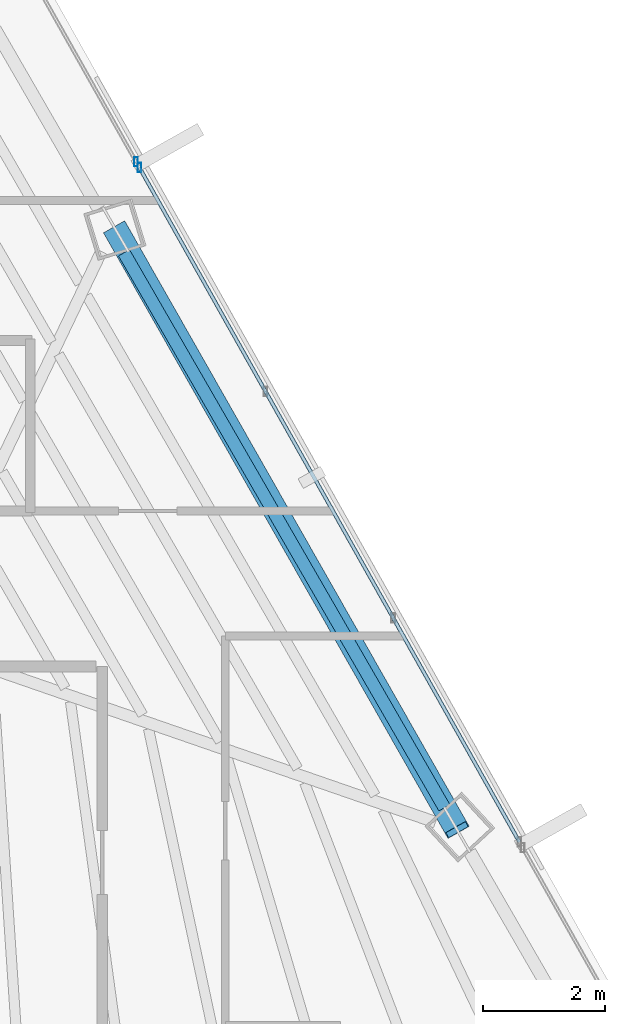
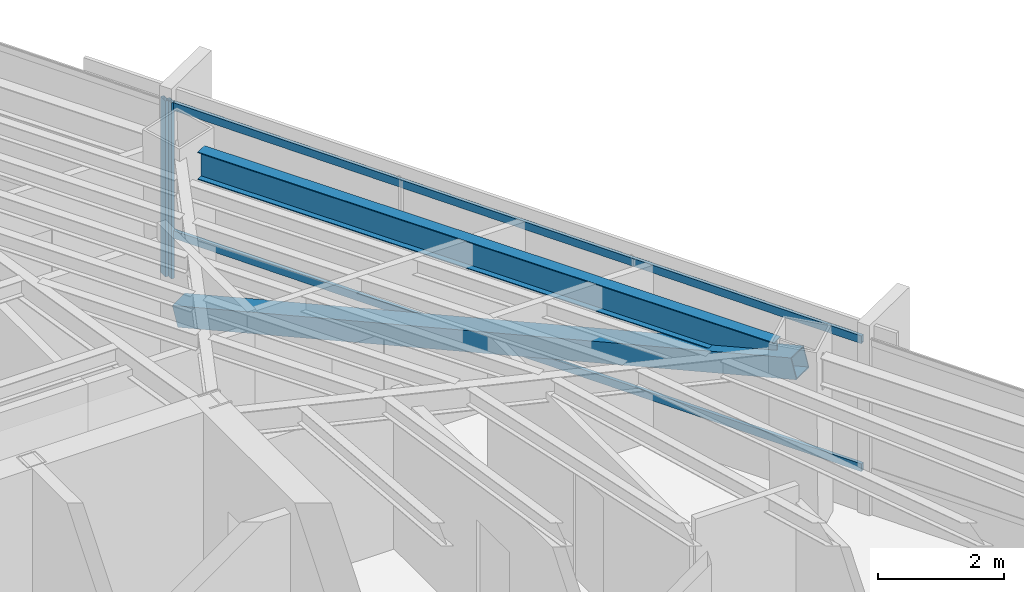
# One storey, part 27 of 42: 5 members, 1 beam, 2 elements without a shape of their own.
"""IFC4 building model written with IfcOpenShell, lengths in metres."""

import ifcopenshell
import ifcopenshell.guid

model = None  # the IFC model being written
_history = None  # IfcOwnerHistory: only IFC2X3 demands one
_inside = {}  # id of a spatial element -> (the spatial element, [elements in it])
_under = {}  # id of a project, library or spatial element -> (it, [spatial elements below it])
_declared = {}  # id of a project -> (the project, [libraries it declares])
_typed = {}  # id of a type object -> (the type object, [elements of that type])
_made_of = {}  # id of a material, layer set ... -> (it, [elements and type objects made of it])


def new_model(schema):
    """Start an empty IFC model of exactly this schema.

    Asked for "IFC4X3", IfcOpenShell would pick the latest addendum, in which some entities
    have other attributes; the version numbers below select the first issue.
    IFC2X3 requires an IfcOwnerHistory on every rooted entity: one is made here for all.
    """
    global model, _history
    if schema == "IFC4X3":
        model = ifcopenshell.file(schema_version=(4, 3, 0, 0))
    else:
        model = ifcopenshell.file(schema=schema)
    _inside.clear()
    _under.clear()
    _declared.clear()
    _typed.clear()
    _made_of.clear()
    _history = None
    if model.schema == "IFC2X3":
        org = make("IfcOrganization", Name="unknown")
        user = make(
            "IfcPersonAndOrganization",
            ThePerson=make("IfcPerson", FamilyName="unknown"),
            TheOrganization=org,
        )
        app = make(
            "IfcApplication",
            ApplicationDeveloper=org,
            Version="unknown",
            ApplicationFullName="unknown",
            ApplicationIdentifier="unknown",
        )
        _history = make(
            "IfcOwnerHistory",
            OwningUser=user,
            OwningApplication=app,
            ChangeAction="ADDED",
            CreationDate=0,
        )
    return model


def make(cls, **values):
    """One entity of the class cls with the attributes given. An attribute that is None is left unset."""
    return model.create_entity(
        cls, **{name: value for name, value in values.items() if value is not None}
    )


def rooted(cls, **values):
    """An entity with a GlobalId (a new one), such as an element, a storey or a relation."""
    return make(cls, GlobalId=ifcopenshell.guid.new(), OwnerHistory=_history, **values)


def si_unit(unit_type, name, prefix=None):
    """IfcSIUnit, for example si_unit("LENGTHUNIT", "METRE", prefix="MILLI")."""
    return make("IfcSIUnit", UnitType=unit_type, Prefix=prefix, Name=name)


def assignment(units):
    """IfcUnitAssignment: the units of a project."""
    return None if units is None else make("IfcUnitAssignment", Units=units)


def point(xyz):
    """IfcCartesianPoint."""
    return None if xyz is None else make("IfcCartesianPoint", Coordinates=xyz)


def direction(xyz):
    """IfcDirection."""
    return None if xyz is None else make("IfcDirection", DirectionRatios=xyz)


def frame(location, z_axis=None, x_axis=None):
    """IfcAxis2Placement3D, a coordinate frame: its origin and axes. An axis left out is left unset."""
    return make(
        "IfcAxis2Placement3D",
        Location=point(location),
        Axis=direction(z_axis),
        RefDirection=direction(x_axis),
    )


def frame_2d(location, x_axis=None):
    """IfcAxis2Placement2D, a coordinate frame in the plane: its origin and x axis."""
    return make(
        "IfcAxis2Placement2D", Location=point(location), RefDirection=direction(x_axis)
    )


def origin():
    """The frame at (0, 0, 0) with its axes left unset."""
    return frame((0.0, 0.0, 0.0))


def origin_2d():
    """The frame at (0, 0) in the plane with its x axis left unset."""
    return frame_2d((0.0, 0.0))


def place(relative_to, where):
    """IfcLocalPlacement: puts the frame where relative to a parent placement (None: the world)."""
    return make(
        "IfcLocalPlacement", PlacementRelTo=relative_to, RelativePlacement=where
    )


def context(
    kind, dimensions, precision=None, world=None, true_north=None, identifier=None
):
    """IfcGeometricRepresentationContext, for example the 3D "Model" context."""
    return make(
        "IfcGeometricRepresentationContext",
        ContextIdentifier=identifier,
        ContextType=kind,
        CoordinateSpaceDimension=dimensions,
        Precision=precision,
        WorldCoordinateSystem=world,
        TrueNorth=true_north,
    )


def subcontext(parent, identifier, kind, view, scale=None):
    """IfcGeometricRepresentationSubContext, for example "Body" below "Model"."""
    return make(
        "IfcGeometricRepresentationSubContext",
        ContextIdentifier=identifier,
        ContextType=kind,
        ParentContext=parent,
        TargetScale=scale,
        TargetView=view,
    )


def project(units=None, contexts=None):
    """IfcProject with its units and contexts."""
    return rooted(
        "IfcProject",
        Name="project",
        RepresentationContexts=contexts,
        UnitsInContext=assignment(units),
    )


def spatial(cls, under=None, at=None, **own):
    """A site, building, storey or space (cls), placed at a placement, below another one or the project."""
    s = rooted(cls, ObjectPlacement=at, **own)
    if under is not None:
        _under.setdefault(under.id(), (under, []))[1].append(s)
    return s


def profile(cls, at=None, kind="AREA", **sizes):
    """A parametric profile (cls). Its sizes go by their IFC names, for example OverallWidth=200.0."""
    return make(cls, ProfileType=kind, Position=at, **sizes)


def hollow_rectangle(**sizes):
    """IfcRectangleHollowProfileDef."""
    return profile("IfcRectangleHollowProfileDef", **sizes)


def i_section(**sizes):
    """IfcIShapeProfileDef."""
    return profile("IfcIShapeProfileDef", **sizes)


def extrude(swept, where, along, depth):
    """IfcExtrudedAreaSolid: the profile swept, set in the frame where, extruded along a direction by depth."""
    return make(
        "IfcExtrudedAreaSolid",
        SweptArea=swept,
        Position=where,
        ExtrudedDirection=direction(along),
        Depth=depth,
    )


def shape(context_of_items, identifier, shape_type, items):
    """IfcShapeRepresentation: the items that make up one representation, for example the "Body"."""
    return make(
        "IfcShapeRepresentation",
        ContextOfItems=context_of_items,
        RepresentationIdentifier=identifier,
        RepresentationType=shape_type,
        Items=items,
    )


def source(mapping_origin, context_of_items, identifier, shape_type, items):
    """IfcRepresentationMap: a shape defined once, which mapped items show again and again."""
    return make(
        "IfcRepresentationMap",
        MappingOrigin=mapping_origin,
        MappedRepresentation=shape(context_of_items, identifier, shape_type, items),
    )


def transform(
    local_origin,
    x_axis=None,
    y_axis=None,
    z_axis=None,
    scale=None,
    scale2=None,
    scale3=None,
    uniform=True,
):
    """IfcCartesianTransformationOperator3D, or its non-uniform kind. x_axis, y_axis, z_axis: its Axis1, 2, 3."""
    if uniform:
        return make(
            "IfcCartesianTransformationOperator3D",
            Axis1=direction(x_axis),
            Axis2=direction(y_axis),
            LocalOrigin=point(local_origin),
            Scale=scale,
            Axis3=direction(z_axis),
        )
    return make(
        "IfcCartesianTransformationOperator3DnonUniform",
        Axis1=direction(x_axis),
        Axis2=direction(y_axis),
        LocalOrigin=point(local_origin),
        Scale=scale,
        Axis3=direction(z_axis),
        Scale2=scale2,
        Scale3=scale3,
    )


def mapped(mapping_source, mapping_target):
    """IfcMappedItem: shows the shape of a source again, moved by a transform."""
    return make(
        "IfcMappedItem", MappingSource=mapping_source, MappingTarget=mapping_target
    )


def material(Name=None, Category=None):
    """IfcMaterial."""
    return make("IfcMaterial", Name=Name, Category=Category)


def material_profile(
    of_material, cross_section, Name=None, Category=None, Priority=None
):
    """IfcMaterialProfile: a cross section and its material."""
    return make(
        "IfcMaterialProfile",
        Name=Name,
        Material=of_material,
        Profile=cross_section,
        Priority=Priority,
        Category=Category,
    )


def profile_set(profiles, Name=None, composite=None):
    """IfcMaterialProfileSet."""
    return make(
        "IfcMaterialProfileSet",
        Name=Name,
        MaterialProfiles=profiles,
        CompositeProfile=composite,
    )


def made_of(thing, what):
    """Note that an element or type object is made of a material, layer set ...; save() writes the relation."""
    if what is not None:
        _made_of.setdefault(what.id(), (what, []))[1].append(thing)
    return thing


def type_object(cls, material=None, **own):
    """A type object (cls), such as IfcWallType, which elements share."""
    return made_of(rooted(cls, **own), material)


def type_shapes(of_type, sources):
    """Give a type object the sources (RepresentationMaps) that its elements show as mapped items."""
    of_type.RepresentationMaps = sources


def element(
    cls,
    number,
    at=None,
    inside=None,
    cuts=None,
    type_object=None,
    material=None,
    context=None,
    identifier="Body",
    shape_type=None,
    held_by="IfcProductDefinitionShape",
    body=None,
    shapes=None,
    **own,
):
    """One element of the class cls, such as IfcWall. Its Tag is "e" and its number.

    at: its placement. inside: the storey or other place that contains it. cuts: it is an
    opening in that element (IfcRelVoidsElement). A single representation is given by context,
    identifier, shape_type and body (its items); several are given by shapes. held_by: the class
    of the entity that holds the representations. save() writes the other relations.
    """
    e = rooted(cls, Tag="e%d" % number, ObjectPlacement=at, **own)
    if body is not None:
        shapes = [shape(context, identifier, shape_type, body)]
    if shapes is not None:
        e.Representation = make(held_by, Representations=shapes)
    if inside is not None:
        _inside.setdefault(inside.id(), (inside, []))[1].append(e)
    if cuts is not None:
        rooted(
            "IfcRelVoidsElement", RelatingBuildingElement=cuts, RelatedOpeningElement=e
        )
    if type_object is not None:
        _typed.setdefault(type_object.id(), (type_object, []))[1].append(e)
    return made_of(e, material)


def aggregate(whole, parts):
    """IfcRelAggregates: a whole, such as a stair, and the parts it consists of."""
    return rooted("IfcRelAggregates", RelatingObject=whole, RelatedObjects=parts)


def save(model, path):
    """Write the relations noted so far, then the file.

    IfcRelAggregates (storeys below a building ...), IfcRelContainedInSpatialStructure (elements
    in a storey), IfcRelDefinesByType, IfcRelAssociatesMaterial and IfcRelDeclares: one each for
    every whole, place, type object, material and project.
    """
    for whole, parts in _under.values():
        aggregate(whole, parts)
    for where, things in _inside.values():
        rooted(
            "IfcRelContainedInSpatialStructure",
            RelatedElements=things,
            RelatingStructure=where,
        )
    for kind, things in _typed.values():
        rooted("IfcRelDefinesByType", RelatedObjects=things, RelatingType=kind)
    for what, things in _made_of.values():
        rooted("IfcRelAssociatesMaterial", RelatedObjects=things, RelatingMaterial=what)
    for by, libraries in _declared.values():
        rooted("IfcRelDeclares", RelatingContext=by, RelatedDefinitions=libraries)
    model.write(path)


model = new_model("IFC4")

# Units and contexts
model_context = context("Model", 3, precision=1e-05, world=origin(), true_north=direction((0.0, 1.0)))
body_context = subcontext(model_context, "Body", "Model", "MODEL_VIEW")
ifc_project = project(units=[si_unit("LENGTHUNIT", "METRE"), si_unit("AREAUNIT", "SQUARE_METRE"), si_unit("VOLUMEUNIT", "CUBIC_METRE"), si_unit("PLANEANGLEUNIT", "RADIAN"), si_unit("MASSUNIT", "GRAM", prefix="KILO")], contexts=[model_context])

# Site, building, storey
site_placement = place(None, origin())
site = spatial("IfcSite", under=ifc_project, at=site_placement, CompositionType="ELEMENT")
building_placement = place(site_placement, origin())
building = spatial("IfcBuilding", under=site, at=building_placement, Name="Caelisora Broadcast Tower", CompositionType="ELEMENT")
storey_placement = place(building_placement, frame((0.0, 0.0, 202.300048828125)))
storey = spatial("IfcBuildingStorey", under=building, at=storey_placement, Name="L53", CompositionType="ELEMENT", Elevation=202.300048828125)

# Beam
ifc_material_1 = material(Name="Steel Grade 350 (AS/NZS 3679.1)", Category="steel")
ifc_material_profile_1 = material_profile(ifc_material_1, i_section(OverallWidth=0.208984375, OverallDepth=0.532958984375, WebThickness=0.01025390625, FlangeThickness=0.015625, at=origin_2d()), Name="Steel Grade 350 (AS/NZS 3679.1)")
ifc_profile_set_1 = profile_set([ifc_material_profile_1], Name="Steel Grade 350 (AS/NZS 3679.1)")
beam_type = type_object("IfcBeamType", Name="PG05", PredefinedType="BEAM", material=ifc_profile_set_1)
shared_shape_1 = source(origin(), body_context, "Body", "SweptSolid", [
    extrude(i_section(OverallWidth=0.208984375, OverallDepth=0.532958984375, WebThickness=0.01025390625, FlangeThickness=0.015625, at=origin_2d()), origin(), (0.0, 0.0, 1.0), 10.524169921875),
])
type_shapes(beam_type, [shared_shape_1])
beam_placement = place(storey_placement, frame((54.199462890625, 27.276611328125, 3.133544921875), z_axis=(-0.500006259065, 0.866021790081, 0.0), x_axis=(-0.866021790081, -0.500006259065, 0.0)))
element("IfcBeam", 1, at=beam_placement, inside=storey, type_object=beam_type, Name="L53 beam PG05", PredefinedType="BEAM", context=body_context, shape_type="MappedRepresentation", body=[
    mapped(shared_shape_1, transform((0.0, 0.0, 0.0), scale=1.0)),
])

# Member
ifc_material_2 = material(Name="Steel Grade 450 (AS/NZS 1163 C450L0)", Category="steel")
ifc_material_profile_2 = material_profile(ifc_material_2, hollow_rectangle(XDim=0.39990234375, YDim=0.39990234375, WallThickness=0.01611328125, at=origin_2d()), Name="Steel Grade 450 (AS/NZS 1163 C450L0)")
ifc_profile_set_2 = profile_set([ifc_material_profile_2], Name="Steel Grade 450 (AS/NZS 1163 C450L0)")
member_type_1 = type_object("IfcMemberType", Name="BR04", PredefinedType="BRACE", material=ifc_profile_set_2)
shared_shape_2 = source(origin(), body_context, "Body", "SweptSolid", [
    extrude(hollow_rectangle(XDim=0.39990234375, YDim=0.39990234375, WallThickness=0.01611328125, at=origin_2d()), origin(), (0.0, 0.0, 1.0), 11.730224609375),
])
type_shapes(member_type_1, [shared_shape_2])
member_1_placement = place(storey_placement, frame((54.407470703125, 26.916259765625, 3.099853515625), z_axis=(-0.478033077575, 0.840283413486, -0.255750194063), x_axis=(-0.869190155828, -0.49447798031, 0.0)))
element("IfcMember", 2, at=member_1_placement, inside=storey, type_object=member_type_1, Name="L53 perimeter brace BR04", PredefinedType="BRACE", context=body_context, shape_type="MappedRepresentation", body=[
    mapped(shared_shape_2, transform((0.0, 0.0, 0.0), scale=1.0)),
])

# Curtain wall, member
ifc_material_3 = material(Name="Unitised Aluminium and Low-E Glass Curtain Wall", Category="glass")
curtain_wall_type_1 = type_object("IfcCurtainWallType", Name="CW-Z4", PredefinedType="NOTDEFINED", material=ifc_material_3)
curtain_wall_1_placement = place(storey_placement, origin())
curtain_wall_1 = element("IfcCurtainWall", 3, at=curtain_wall_1_placement, inside=storey, type_object=curtain_wall_type_1, Name="L53 curtain wall CW-Z4", PredefinedType="NOTDEFINED")
ifc_material_4 = material(Name="Aluminium 6063-T6 Anodised Terracotta Bronze", Category="aluminium")
ifc_material_profile_3 = material_profile(ifc_material_4, hollow_rectangle(XDim=0.06005859375, YDim=0.14990234375, WallThickness=0.00341796875, at=origin_2d()), Name="Aluminium 6063-T6 Anodised Terracotta Bronze")
ifc_profile_set_3 = profile_set([ifc_material_profile_3], Name="Aluminium 6063-T6 Anodised Terracotta Bronze")
member_type_2 = type_object("IfcMemberType", Name="CWM-03", PredefinedType="MULLION", material=ifc_profile_set_3)
shared_shape_3 = source(origin(), body_context, "Body", "SweptSolid", [
    extrude(hollow_rectangle(XDim=0.06005859375, YDim=0.14990234375, WallThickness=0.00341796875, at=origin_2d()), origin(), (0.0, 0.0, 1.0), 3.39990234375),
])
type_shapes(member_type_2, [shared_shape_3])
member_2_placement = place(storey_placement, frame((49.135986328125, 37.886474609375, 0.0), z_axis=(0.0, 0.0, 1.0), x_axis=(1.0, 0.0, 0.0)))
member_2 = element("IfcMember", 4, at=member_2_placement, type_object=member_type_2, Name="L53-CW-B01 mullion #3", PredefinedType="MULLION", context=body_context, shape_type="MappedRepresentation", body=[
    mapped(shared_shape_3, transform((0.0, 0.0, 0.0), scale=1.0)),
])
aggregate(curtain_wall_1, [member_2])

# Curtain wall, members
ifc_material_5 = material(Name="Unitised Aluminium Insulated Shadow-Box Spandrel Curtain Wall", Category="aluminium")
curtain_wall_type_2 = type_object("IfcCurtainWallType", Name="CW-SP2", PredefinedType="NOTDEFINED", material=ifc_material_5)
curtain_wall_2_placement = place(storey_placement, origin())
curtain_wall_2 = element("IfcCurtainWall", 5, at=curtain_wall_2_placement, inside=storey, type_object=curtain_wall_type_2, Name="L53 curtain wall CW-SP2", PredefinedType="NOTDEFINED")
member_3_placement = place(storey_placement, frame((49.190185546875, 37.79052734375, 0.0), z_axis=(0.0, 0.0, 1.0), x_axis=(1.0, 0.0, 0.0)))
member_3 = element("IfcMember", 6, at=member_3_placement, type_object=member_type_2, Name="L53-CW-B02 mullion #0", PredefinedType="MULLION", context=body_context, shape_type="MappedRepresentation", body=[
    mapped(shared_shape_3, transform((0.0, 0.0, 0.0), scale=1.0)),
])
ifc_material_profile_4 = material_profile(ifc_material_4, hollow_rectangle(XDim=0.06005859375, YDim=0.14990234375, WallThickness=0.00341796875, at=origin_2d()), Name="Aluminium 6063-T6 Anodised Terracotta Bronze")
ifc_profile_set_4 = profile_set([ifc_material_profile_4], Name="Aluminium 6063-T6 Anodised Terracotta Bronze")
member_type_3 = type_object("IfcMemberType", Name="CWT-02", PredefinedType="USERDEFINED", material=ifc_profile_set_4)
shared_shape_4 = source(origin(), body_context, "Body", "SweptSolid", [
    extrude(hollow_rectangle(XDim=0.06005859375, YDim=0.14990234375, WallThickness=0.00341796875, at=origin_2d()), origin(), (0.0, 0.0, 1.0), 12.712890625),
])
type_shapes(member_type_3, [shared_shape_4])
member_4_placement = place(storey_placement, frame((49.190185546875, 37.79052734375, 0.849853515625), z_axis=(0.490934890963, -0.871196265393, 0.0), x_axis=(0.871196265393, 0.490934890963, 0.0)))
member_4 = element("IfcMember", 7, at=member_4_placement, type_object=member_type_3, Name="L53-CW-B02 transom #1", ObjectType="TRANSOM", PredefinedType="USERDEFINED", context=body_context, shape_type="MappedRepresentation", body=[
    mapped(shared_shape_4, transform((0.0, 0.0, 0.0), scale=1.0)),
])
member_5_placement = place(storey_placement, frame((49.190185546875, 37.79052734375, 3.320068359375), z_axis=(0.490934890963, -0.871196265393, 0.0), x_axis=(0.871196265393, 0.490934890963, 0.0)))
member_5 = element("IfcMember", 8, at=member_5_placement, type_object=member_type_3, Name="L53-CW-B02 transom #2", ObjectType="TRANSOM", PredefinedType="USERDEFINED", context=body_context, shape_type="MappedRepresentation", body=[
    mapped(shared_shape_4, transform((0.0, 0.0, 0.0), scale=1.0)),
])
aggregate(curtain_wall_2, [member_3, member_4, member_5])

save(model, "model.ifc")
